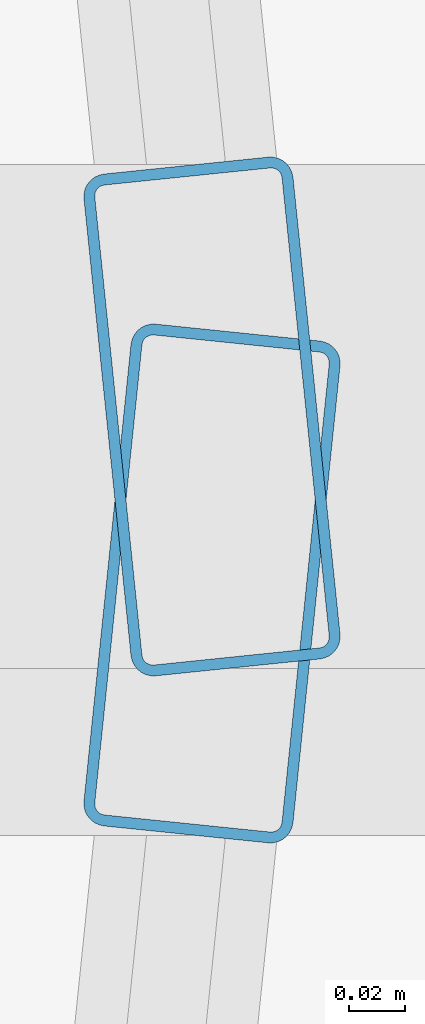
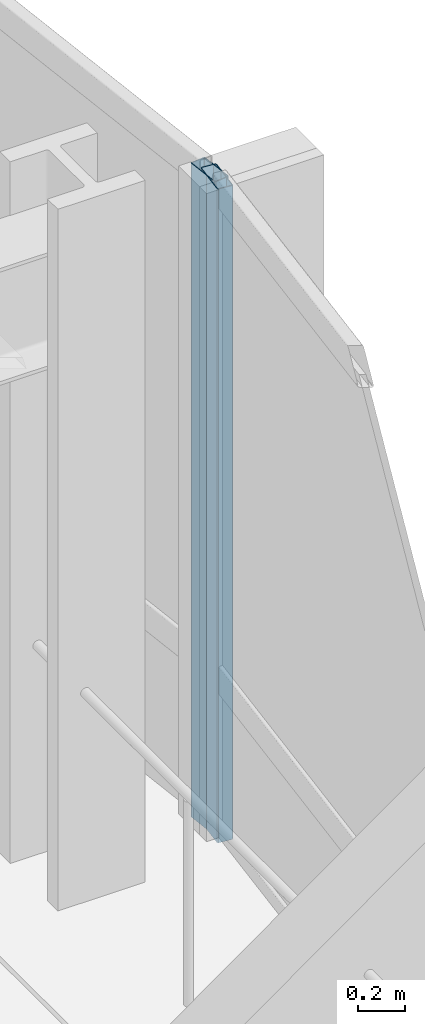
# One storey, part 25 of 34: 2 members, 2 elements without a shape of their own.
"""IFC4 building model written with IfcOpenShell, lengths in metres."""

from ifc_helpers import new_model, si_unit, direction, frame, origin, origin_2d, place, context, subcontext, project, spatial, hollow_rectangle, extrude, material, layer, layer_set, material_profile, profile_set, type_object, element, aggregate, save


model = new_model("IFC4")

# Units and contexts
model_context = context("Model", 3, precision=1e-05, world=origin(), true_north=direction((0.0, 1.0)))
body_context = subcontext(model_context, "Body", "Model", "MODEL_VIEW")
ifc_project = project(units=[si_unit("LENGTHUNIT", "METRE"), si_unit("AREAUNIT", "SQUARE_METRE"), si_unit("VOLUMEUNIT", "CUBIC_METRE"), si_unit("PLANEANGLEUNIT", "RADIAN"), si_unit("MASSUNIT", "GRAM", prefix="KILO")], contexts=[model_context])

# Site, building, storey
site_placement = place(None, origin())
site = spatial("IfcSite", under=ifc_project, at=site_placement, CompositionType="ELEMENT")
building_placement = place(site_placement, origin())
building = spatial("IfcBuilding", under=site, at=building_placement, Name="Solvaryn Broadcast Tower", CompositionType="ELEMENT")
storey_placement = place(building_placement, frame((0.0, 0.0, 39.699951171875)))
storey = spatial("IfcBuildingStorey", under=building, at=storey_placement, Name="L08", CompositionType="ELEMENT", Elevation=39.699951171875)

# Curtain wall, member
ifc_material_1 = material(Name="Aluminium and Terracotta Unitised Curtain Wall", Category="masonry")
ifc_layer = layer(ifc_material_1, 0.199951171875)
ifc_layer_set = layer_set([ifc_layer], Name="CW-SYS2-LOWMID")
curtain_wall_type = type_object("IfcCurtainWallType", Name="CW-SYS2-LOWMID", PredefinedType="NOTDEFINED", material=ifc_layer_set)
curtain_wall_1_placement = place(storey_placement, origin())
curtain_wall_1 = element("IfcCurtainWall", 1, at=curtain_wall_1_placement, inside=storey, type_object=curtain_wall_type, Name="L08 Curtain Wall ET1", PredefinedType="NOTDEFINED")
ifc_material_2 = material(Name="Anodised Aluminium 6063-T6", Category="aluminium")
ifc_material_profile = material_profile(ifc_material_2, hollow_rectangle(XDim=0.074951171875, YDim=0.179931640625, WallThickness=0.00390625, InnerFilletRadius=0.00390625, OuterFilletRadius=0.008056640625, at=origin_2d()))
ifc_profile_set = profile_set([ifc_material_profile], Name="Anodised Aluminium 6063-T6")
member_type = type_object("IfcMemberType", Name="CW-MUL-180", PredefinedType="MULLION", material=ifc_profile_set)
member_1_placement = place(storey_placement, frame((63.697021484375, 18.02978515625, 0.0), z_axis=(0.0, 0.0, 1.0), x_axis=(0.99474329889, 0.10240004548, 0.0)))
member_1 = element("IfcMember", 2, at=member_1_placement, type_object=member_type, Name="CWS2 mullion 2", PredefinedType="MULLION", context=body_context, shape_type="SweptSolid", body=[
    extrude(hollow_rectangle(XDim=0.074951171875, YDim=0.179931640625, WallThickness=0.00390625, InnerFilletRadius=0.00390625, OuterFilletRadius=0.008056640625, at=origin_2d()), origin(), (0.0, 0.0, 1.0), 3.420166015625),
])
aggregate(curtain_wall_1, [member_1])

curtain_wall_2_placement = place(storey_placement, origin())
curtain_wall_2 = element("IfcCurtainWall", 3, at=curtain_wall_2_placement, inside=storey, type_object=curtain_wall_type, Name="L08 Curtain Wall ET2", PredefinedType="NOTDEFINED")
member_2_placement = place(storey_placement, frame((63.697021484375, 17.97021484375, 0.0), z_axis=(0.0, 0.0, 1.0), x_axis=(0.99474329889, -0.10240004548, 0.0)))
member_2 = element("IfcMember", 4, at=member_2_placement, type_object=member_type, Name="CWS2 mullion 1", PredefinedType="MULLION", context=body_context, shape_type="SweptSolid", body=[
    extrude(hollow_rectangle(XDim=0.074951171875, YDim=0.179931640625, WallThickness=0.00390625, InnerFilletRadius=0.00390625, OuterFilletRadius=0.008056640625, at=origin_2d()), origin(), (0.0, 0.0, 1.0), 3.420166015625),
])
aggregate(curtain_wall_2, [member_2])

save(model, "model.ifc")
